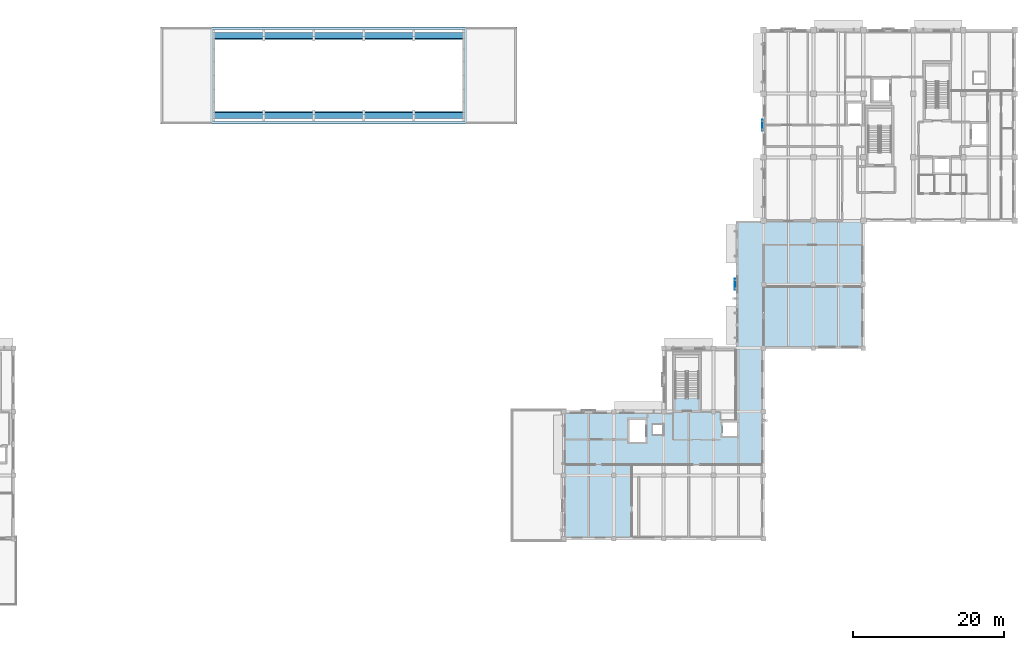
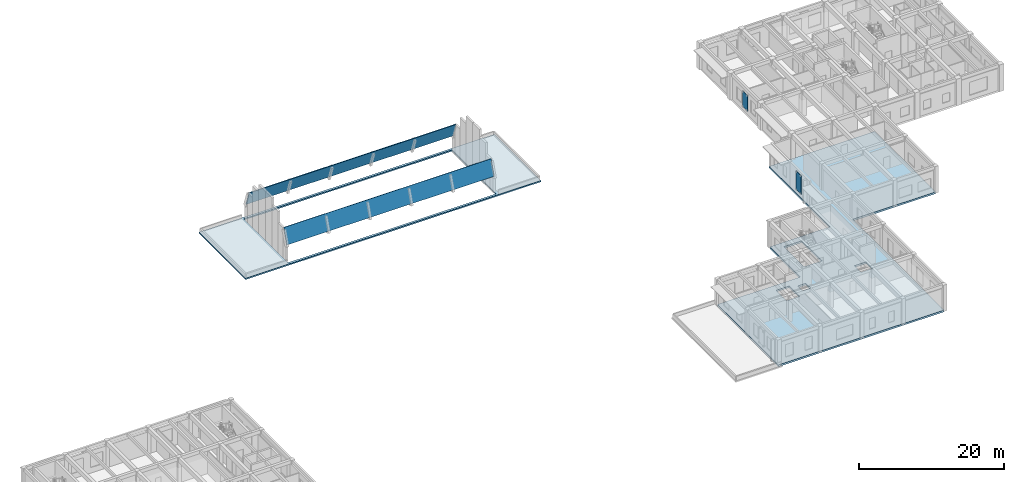
# One storey, part 4 of 25: 4 slabs, 2 plates.
"""IFC4 building model written with IfcOpenShell, lengths in metres."""

import ifcopenshell
import ifcopenshell.guid

model = None  # the IFC model being written
_history = None  # IfcOwnerHistory: only IFC2X3 demands one
_inside = {}  # id of a spatial element -> (the spatial element, [elements in it])
_under = {}  # id of a project, library or spatial element -> (it, [spatial elements below it])
_declared = {}  # id of a project -> (the project, [libraries it declares])
_typed = {}  # id of a type object -> (the type object, [elements of that type])
_made_of = {}  # id of a material, layer set ... -> (it, [elements and type objects made of it])


def new_model(schema):
    """Start an empty IFC model of exactly this schema.

    Asked for "IFC4X3", IfcOpenShell would pick the latest addendum, in which some entities
    have other attributes; the version numbers below select the first issue.
    IFC2X3 requires an IfcOwnerHistory on every rooted entity: one is made here for all.
    """
    global model, _history
    if schema == "IFC4X3":
        model = ifcopenshell.file(schema_version=(4, 3, 0, 0))
    else:
        model = ifcopenshell.file(schema=schema)
    _inside.clear()
    _under.clear()
    _declared.clear()
    _typed.clear()
    _made_of.clear()
    _history = None
    if model.schema == "IFC2X3":
        org = make("IfcOrganization", Name="unknown")
        user = make(
            "IfcPersonAndOrganization",
            ThePerson=make("IfcPerson", FamilyName="unknown"),
            TheOrganization=org,
        )
        app = make(
            "IfcApplication",
            ApplicationDeveloper=org,
            Version="unknown",
            ApplicationFullName="unknown",
            ApplicationIdentifier="unknown",
        )
        _history = make(
            "IfcOwnerHistory",
            OwningUser=user,
            OwningApplication=app,
            ChangeAction="ADDED",
            CreationDate=0,
        )
    return model


def make(cls, **values):
    """One entity of the class cls with the attributes given. An attribute that is None is left unset."""
    return model.create_entity(
        cls, **{name: value for name, value in values.items() if value is not None}
    )


def rooted(cls, **values):
    """An entity with a GlobalId (a new one), such as an element, a storey or a relation."""
    return make(cls, GlobalId=ifcopenshell.guid.new(), OwnerHistory=_history, **values)


def si_unit(unit_type, name, prefix=None):
    """IfcSIUnit, for example si_unit("LENGTHUNIT", "METRE", prefix="MILLI")."""
    return make("IfcSIUnit", UnitType=unit_type, Prefix=prefix, Name=name)


def assignment(units):
    """IfcUnitAssignment: the units of a project."""
    return None if units is None else make("IfcUnitAssignment", Units=units)


def point(xyz):
    """IfcCartesianPoint."""
    return None if xyz is None else make("IfcCartesianPoint", Coordinates=xyz)


def direction(xyz):
    """IfcDirection."""
    return None if xyz is None else make("IfcDirection", DirectionRatios=xyz)


def frame(location, z_axis=None, x_axis=None):
    """IfcAxis2Placement3D, a coordinate frame: its origin and axes. An axis left out is left unset."""
    return make(
        "IfcAxis2Placement3D",
        Location=point(location),
        Axis=direction(z_axis),
        RefDirection=direction(x_axis),
    )


def frame_2d(location, x_axis=None):
    """IfcAxis2Placement2D, a coordinate frame in the plane: its origin and x axis."""
    return make(
        "IfcAxis2Placement2D", Location=point(location), RefDirection=direction(x_axis)
    )


def origin():
    """The frame at (0, 0, 0) with its axes left unset."""
    return frame((0.0, 0.0, 0.0))


def origin_2d():
    """The frame at (0, 0) in the plane with its x axis left unset."""
    return frame_2d((0.0, 0.0))


def place(relative_to, where):
    """IfcLocalPlacement: puts the frame where relative to a parent placement (None: the world)."""
    return make(
        "IfcLocalPlacement", PlacementRelTo=relative_to, RelativePlacement=where
    )


def context(
    kind, dimensions, precision=None, world=None, true_north=None, identifier=None
):
    """IfcGeometricRepresentationContext, for example the 3D "Model" context."""
    return make(
        "IfcGeometricRepresentationContext",
        ContextIdentifier=identifier,
        ContextType=kind,
        CoordinateSpaceDimension=dimensions,
        Precision=precision,
        WorldCoordinateSystem=world,
        TrueNorth=true_north,
    )


def subcontext(parent, identifier, kind, view, scale=None):
    """IfcGeometricRepresentationSubContext, for example "Body" below "Model"."""
    return make(
        "IfcGeometricRepresentationSubContext",
        ContextIdentifier=identifier,
        ContextType=kind,
        ParentContext=parent,
        TargetScale=scale,
        TargetView=view,
    )


def project(units=None, contexts=None):
    """IfcProject with its units and contexts."""
    return rooted(
        "IfcProject",
        Name="project",
        RepresentationContexts=contexts,
        UnitsInContext=assignment(units),
    )


def spatial(cls, under=None, at=None, **own):
    """A site, building, storey or space (cls), placed at a placement, below another one or the project."""
    s = rooted(cls, ObjectPlacement=at, **own)
    if under is not None:
        _under.setdefault(under.id(), (under, []))[1].append(s)
    return s


def polyline(points):
    """IfcPolyline through the points."""
    return make("IfcPolyline", Points=[point(p) for p in points])


def profile(cls, at=None, kind="AREA", **sizes):
    """A parametric profile (cls). Its sizes go by their IFC names, for example OverallWidth=200.0."""
    return make(cls, ProfileType=kind, Position=at, **sizes)


def rectangle(**sizes):
    """IfcRectangleProfileDef."""
    return profile("IfcRectangleProfileDef", **sizes)


def outline(outer, holes=None, kind="AREA"):
    """IfcArbitraryClosedProfileDef: a profile drawn as a closed curve; with holes, ...WithVoids."""
    if holes is None:
        return make("IfcArbitraryClosedProfileDef", ProfileType=kind, OuterCurve=outer)
    return make(
        "IfcArbitraryProfileDefWithVoids",
        ProfileType=kind,
        OuterCurve=outer,
        InnerCurves=holes,
    )


def extrude(swept, where, along, depth):
    """IfcExtrudedAreaSolid: the profile swept, set in the frame where, extruded along a direction by depth."""
    return make(
        "IfcExtrudedAreaSolid",
        SweptArea=swept,
        Position=where,
        ExtrudedDirection=direction(along),
        Depth=depth,
    )


def shape(context_of_items, identifier, shape_type, items):
    """IfcShapeRepresentation: the items that make up one representation, for example the "Body"."""
    return make(
        "IfcShapeRepresentation",
        ContextOfItems=context_of_items,
        RepresentationIdentifier=identifier,
        RepresentationType=shape_type,
        Items=items,
    )


def material(Name=None, Category=None):
    """IfcMaterial."""
    return make("IfcMaterial", Name=Name, Category=Category)


def layer(
    of_material, thickness, ventilated=None, Name=None, Category=None, Priority=None
):
    """IfcMaterialLayer: one layer of a wall or slab, of a material (None: an air gap)."""
    return make(
        "IfcMaterialLayer",
        Material=of_material,
        LayerThickness=thickness,
        IsVentilated=ventilated,
        Name=Name,
        Category=Category,
        Priority=Priority,
    )


def layer_set(layers, Name=None):
    """IfcMaterialLayerSet."""
    return make("IfcMaterialLayerSet", MaterialLayers=layers, LayerSetName=Name)


def made_of(thing, what):
    """Note that an element or type object is made of a material, layer set ...; save() writes the relation."""
    if what is not None:
        _made_of.setdefault(what.id(), (what, []))[1].append(thing)
    return thing


def type_object(cls, material=None, **own):
    """A type object (cls), such as IfcWallType, which elements share."""
    return made_of(rooted(cls, **own), material)


def element(
    cls,
    number,
    at=None,
    inside=None,
    cuts=None,
    type_object=None,
    material=None,
    context=None,
    identifier="Body",
    shape_type=None,
    held_by="IfcProductDefinitionShape",
    body=None,
    shapes=None,
    **own,
):
    """One element of the class cls, such as IfcWall. Its Tag is "e" and its number.

    at: its placement. inside: the storey or other place that contains it. cuts: it is an
    opening in that element (IfcRelVoidsElement). A single representation is given by context,
    identifier, shape_type and body (its items); several are given by shapes. held_by: the class
    of the entity that holds the representations. save() writes the other relations.
    """
    e = rooted(cls, Tag="e%d" % number, ObjectPlacement=at, **own)
    if body is not None:
        shapes = [shape(context, identifier, shape_type, body)]
    if shapes is not None:
        e.Representation = make(held_by, Representations=shapes)
    if inside is not None:
        _inside.setdefault(inside.id(), (inside, []))[1].append(e)
    if cuts is not None:
        rooted(
            "IfcRelVoidsElement", RelatingBuildingElement=cuts, RelatedOpeningElement=e
        )
    if type_object is not None:
        _typed.setdefault(type_object.id(), (type_object, []))[1].append(e)
    return made_of(e, material)


def aggregate(whole, parts):
    """IfcRelAggregates: a whole, such as a stair, and the parts it consists of."""
    return rooted("IfcRelAggregates", RelatingObject=whole, RelatedObjects=parts)


def save(model, path):
    """Write the relations noted so far, then the file.

    IfcRelAggregates (storeys below a building ...), IfcRelContainedInSpatialStructure (elements
    in a storey), IfcRelDefinesByType, IfcRelAssociatesMaterial and IfcRelDeclares: one each for
    every whole, place, type object, material and project.
    """
    for whole, parts in _under.values():
        aggregate(whole, parts)
    for where, things in _inside.values():
        rooted(
            "IfcRelContainedInSpatialStructure",
            RelatedElements=things,
            RelatingStructure=where,
        )
    for kind, things in _typed.values():
        rooted("IfcRelDefinesByType", RelatedObjects=things, RelatingType=kind)
    for what, things in _made_of.values():
        rooted("IfcRelAssociatesMaterial", RelatedObjects=things, RelatingMaterial=what)
    for by, libraries in _declared.values():
        rooted("IfcRelDeclares", RelatingContext=by, RelatedDefinitions=libraries)
    model.write(path)


model = new_model("IFC4")

# Units and contexts
model_context = context("Model", 3, precision=1e-05, world=origin(), true_north=direction((0.0, 1.0)))
body_context = subcontext(model_context, "Body", "Model", "MODEL_VIEW")
ifc_project = project(units=[si_unit("LENGTHUNIT", "METRE"), si_unit("AREAUNIT", "SQUARE_METRE"), si_unit("VOLUMEUNIT", "CUBIC_METRE"), si_unit("PLANEANGLEUNIT", "RADIAN"), si_unit("MASSUNIT", "GRAM", prefix="KILO")], contexts=[model_context])

# Site, building, storey
site_placement = place(None, origin())
site = spatial("IfcSite", under=ifc_project, at=site_placement, CompositionType="ELEMENT")
building_placement = place(site_placement, origin())
building = spatial("IfcBuilding", under=site, at=building_placement, Name="Kolvaren Faculty of Natural Sciences", CompositionType="ELEMENT")
storey_placement = place(building_placement, frame((0.0, 0.0, 19.5)))
storey = spatial("IfcBuildingStorey", under=building, at=storey_placement, Name="L04", CompositionType="ELEMENT", Elevation=19.5)

# Slabs
ifc_material_1 = material(Name="Concrete C40/50", Category="concrete")
ifc_layer_1 = layer(ifc_material_1, 0.110107421875)
ifc_layer_set_1 = layer_set([ifc_layer_1], Name="Concrete C40/50")
slab_type_1 = type_object("IfcSlabType", Name="BarrelShellStrip_110", PredefinedType="ROOF", material=ifc_layer_set_1)
slab_1_placement = place(storey_placement, frame((66.199951171875, 72.49365234375, 2.71923828125), z_axis=(0.0, -0.944622274588, 0.328159653755), x_axis=(1.0, 0.0, 0.0)))
element("IfcSlab", 1, at=slab_1_placement, inside=storey, type_object=slab_type_1, Name="Central Sky-Lit Atrium Barrel Vault Shell vault strip 2", PredefinedType="ROOF", context=body_context, shape_type="SweptSolid", body=[
    extrude(outline(polyline([(0.0, 0.0), (33.0, 0.0), (33.0, 2.5971959444803088), (0.0, 2.5971959444803088), (0.0, 0.0)])), origin(), (0.0, 0.0, -1.0), 0.110107421875),
])
slab_2_placement = place(storey_placement, frame((66.199951171875, 83.05419921875, 5.172607421875), z_axis=(0.0, 0.944651411035, 0.328075771172), x_axis=(1.0, 0.0, 0.0)))
element("IfcSlab", 2, at=slab_2_placement, inside=storey, type_object=slab_type_1, Name="Central Sky-Lit Atrium Barrel Vault Shell vault strip 9", PredefinedType="ROOF", context=body_context, shape_type="SweptSolid", body=[
    extrude(outline(polyline([(0.0, 0.0), (33.0, 0.0), (33.0, 2.597115837616757), (0.0, 2.597115837616757), (0.0, 0.0)])), origin(), (0.0, 0.0, -1.0), 0.110107421875),
])

# Plates
ifc_material_2 = material(Name="Extruded architectural terracotta screen", Category="masonry")
ifc_layer_2 = layer(ifc_material_2, 0.06494140625)
ifc_layer_set_2 = layer_set([ifc_layer_2], Name="Extruded architectural terracotta screen")
plate_type_1 = type_object("IfcPlateType", Name="EnvelopePlate_JL01", PredefinedType="USERDEFINED", material=ifc_layer_set_2)
plate_1_placement = place(storey_placement, frame((138.659912109375, 71.60009765625, 0.849853515625), z_axis=(0.0, 0.0, 1.0), x_axis=(0.0, 1.0, 0.0)))
element("IfcPlate", 3, at=plate_1_placement, inside=storey, type_object=plate_type_1, Name="L04 perforated terracotta jali sun screen JL-01", ObjectType="SCREEN", PredefinedType="USERDEFINED", context=body_context, shape_type="SweptSolid", body=[
    extrude(rectangle(XDim=1.449951171875, YDim=0.06494140625, at=origin_2d()), origin(), (0.0, 0.0, 1.0), 2.60009765625),
])
ifc_layer_3 = layer(ifc_material_2, 0.06494140625)
ifc_layer_set_3 = layer_set([ifc_layer_3], Name="Extruded architectural terracotta screen")
plate_type_2 = type_object("IfcPlateType", Name="EnvelopePlate_JL03", PredefinedType="USERDEFINED", material=ifc_layer_set_3)
plate_2_placement = place(storey_placement, frame((135.06005859375, 50.60009765625, 0.849853515625), z_axis=(0.0, 0.0, 1.0), x_axis=(0.0, 1.0, 0.0)))
element("IfcPlate", 4, at=plate_2_placement, inside=storey, type_object=plate_type_2, Name="L04 perforated terracotta jali sun screen JL-03", ObjectType="SCREEN", PredefinedType="USERDEFINED", context=body_context, shape_type="SweptSolid", body=[
    extrude(rectangle(XDim=1.449951171875, YDim=0.06494140625, at=origin_2d()), origin(), (0.0, 0.0, 1.0), 3.10009765625),
])

# Slabs
ifc_material_3 = material(Name="Concrete C35/45", Category="concrete")
ifc_layer_4 = layer(ifc_material_3, 0.219970703125)
ifc_layer_set_4 = layer_set([ifc_layer_4], Name="Concrete C35/45")
slab_type_2 = type_object("IfcSlabType", Name="FlatWingRoofSlab_220", PredefinedType="ROOF", material=ifc_layer_set_4)
slab_3_placement = place(storey_placement, frame((0.0, 0.0, -0.219970703125)))
element("IfcSlab", 5, at=slab_3_placement, inside=storey, type_object=slab_type_2, Name="L04 flat reinforced concrete roof slab 2", PredefinedType="ROOF", context=body_context, shape_type="SweptSolid", body=[
    extrude(outline(polyline([(59.169921875, 71.77001953125), (59.169921875, 84.6298828125), (106.22998046875, 84.6298828125), (106.22998046875, 71.77001953125), (59.169921875, 71.77001953125)]), holes=[polyline([(99.280029296875, 84.280029296875), (66.1201171875, 84.280029296875), (66.1201171875, 72.1201171875), (99.280029296875, 72.1201171875), (99.280029296875, 84.280029296875)])]), origin(), (0.0, 0.0, 1.0), 0.219970703125),
])
ifc_layer_5 = layer(ifc_material_3, 0.300048828125)
ifc_layer_set_5 = layer_set([ifc_layer_5], Name="Concrete C35/45")
slab_type_3 = type_object("IfcSlabType", Name="LabFloorSlab_300", PredefinedType="FLOOR", material=ifc_layer_set_5)
slab_4_placement = place(storey_placement, frame((0.0, 0.0, -0.300048828125)))
element("IfcSlab", 6, at=slab_4_placement, inside=storey, type_object=slab_type_3, Name="L04 V5 structural slab 1", PredefinedType="FLOOR", context=body_context, shape_type="SweptSolid", body=[
    extrude(outline(polyline([(112.39990234375, 17.0), (112.39990234375, 33.800048828125), (125.60009765625, 33.800048828125), (125.60009765625, 42.199951171875), (135.199951171875, 42.199951171875), (135.199951171875, 59.0), (152.0, 59.0), (152.0, 42.199951171875), (138.800048828125, 42.199951171875), (138.800048828125, 33.800048828125), (138.800048828125, 17.0), (112.39990234375, 17.0)]), holes=[polyline([(133.39990234375, 32.39990234375), (133.39990234375, 30.60009765625), (135.300048828125, 30.60009765625), (135.300048828125, 32.39990234375), (133.39990234375, 32.39990234375)]), polyline([(130.1298828125, 41.22998046875), (127.27001953125, 41.22998046875), (127.27001953125, 35.669921875), (130.1298828125, 35.669921875), (130.1298828125, 41.22998046875)]), polyline([(125.5, 32.10009765625), (124.199951171875, 32.10009765625), (124.199951171875, 30.800048828125), (125.5, 30.800048828125), (125.5, 32.10009765625)]), polyline([(123.199951171875, 32.699951171875), (121.10009765625, 32.699951171875), (121.10009765625, 29.800048828125), (123.199951171875, 29.800048828125), (123.199951171875, 32.699951171875)])]), origin(), (0.0, 0.0, 1.0), 0.300048828125),
])

save(model, "model.ifc")
